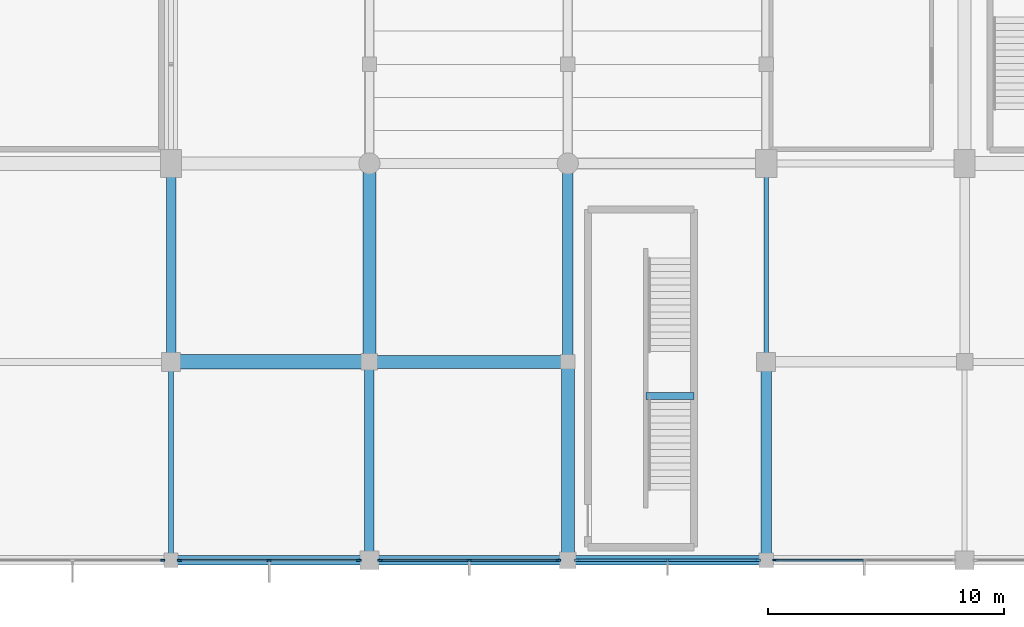
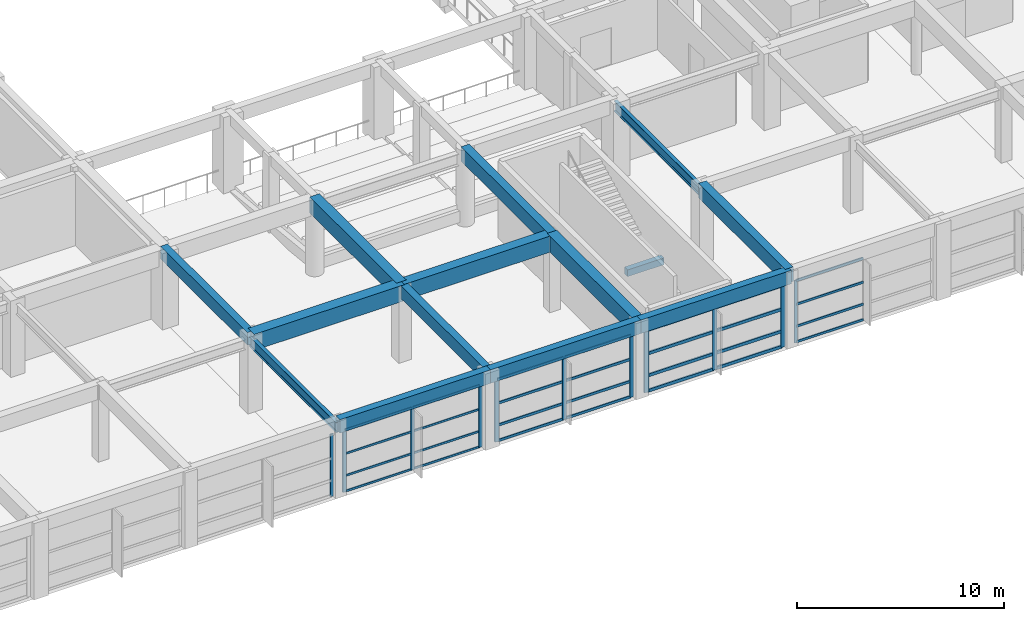
# One storey, part 20 of 62: 39 members, 14 beams, 5 elements without a shape of their own.
"""IFC4 building model written with IfcOpenShell, lengths in metres."""

from ifc_helpers import new_model, si_unit, direction, frame, origin, origin_2d, place, context, subcontext, project, spatial, rectangle, i_section, extrude, material, material_profile, profile_set, type_object, element, aggregate, save


model = new_model("IFC4")

# Units and contexts
model_context = context("Model", 3, precision=1e-05, world=origin(), true_north=direction((0.0, 1.0)))
body_context = subcontext(model_context, "Body", "Model", "MODEL_VIEW")
ifc_project = project(units=[si_unit("LENGTHUNIT", "METRE"), si_unit("AREAUNIT", "SQUARE_METRE"), si_unit("VOLUMEUNIT", "CUBIC_METRE"), si_unit("PLANEANGLEUNIT", "RADIAN"), si_unit("MASSUNIT", "GRAM", prefix="KILO")], contexts=[model_context])

# Site, building, storey
site_placement = place(None, origin())
site = spatial("IfcSite", under=ifc_project, at=site_placement, CompositionType="ELEMENT")
building_placement = place(site_placement, origin())
building = spatial("IfcBuilding", under=site, at=building_placement, Name="Xuanlan Plaza Opera House", CompositionType="ELEMENT")
storey_placement = place(building_placement, frame((0.0, 0.0, 14.39990234375)))
storey = spatial("IfcBuildingStorey", under=building, at=storey_placement, Name="L03", CompositionType="ELEMENT", Elevation=14.39990234375)

# Curtain wall, member
ifc_material_1 = material(Name="Anodised Aluminium 6063-T6 and Low-E Glass", Category="aluminium")
curtain_wall_type_1 = type_object("IfcCurtainWallType", Name="ENV-CW-CW-06", PredefinedType="USERDEFINED", material=ifc_material_1)
curtain_wall_1_placement = place(storey_placement, origin())
curtain_wall_1 = element("IfcCurtainWall", 1, at=curtain_wall_1_placement, inside=storey, type_object=curtain_wall_type_1, Name="Acoustic Glazed Wall L03-011", ObjectType="ACOUSTIC GLAZED WALL", PredefinedType="USERDEFINED")
ifc_material_2 = material(Name="Anodised Aluminium 6063-T6", Category="aluminium")
ifc_material_profile_1 = material_profile(ifc_material_2, rectangle(XDim=0.06494140625, YDim=0.159912109375, at=origin_2d()), Name="ALU-M 65x160")
ifc_profile_set_1 = profile_set([ifc_material_profile_1], Name="Anodised Aluminium 6063-T6")
member_type_1 = type_object("IfcMemberType", Name="ENV-CWM-01", PredefinedType="MULLION", material=ifc_profile_set_1)
member_1_placement = place(storey_placement, frame((92.75244140625, 16.800048828125, 0.0), z_axis=(0.0, 0.0, 1.0), x_axis=(0.0, 1.0, 0.0)))
member_1 = element("IfcMember", 2, at=member_1_placement, type_object=member_type_1, Name="CW-06 mullion 1", PredefinedType="MULLION", context=body_context, shape_type="SweptSolid", body=[
    extrude(rectangle(XDim=0.06494140625, YDim=0.159912109375, at=origin_2d()), origin(), (0.0, 0.0, 1.0), 3.68017578125),
])

curtain_wall_2_placement = place(storey_placement, origin())
curtain_wall_2 = element("IfcCurtainWall", 3, at=curtain_wall_2_placement, inside=storey, type_object=curtain_wall_type_1, Name="Acoustic Glazed Wall L03-007", ObjectType="ACOUSTIC GLAZED WALL", PredefinedType="USERDEFINED")
ifc_material_profile_2 = material_profile(ifc_material_2, rectangle(XDim=0.070068359375, YDim=0.179931640625, at=origin_2d()), Name="ALU-M 70x180")
ifc_profile_set_2 = profile_set([ifc_material_profile_2], Name="Anodised Aluminium 6063-T6")
member_type_2 = type_object("IfcMemberType", Name="ENV-CWM-02", PredefinedType="MULLION", material=ifc_profile_set_2)
member_2_placement = place(storey_placement, frame((66.844970703125, 16.800048828125, 0.0), z_axis=(0.0, 0.0, 1.0), x_axis=(0.0, 1.0, 0.0)))
member_2 = element("IfcMember", 4, at=member_2_placement, type_object=member_type_2, Name="CW-06 mullion 3", PredefinedType="MULLION", context=body_context, shape_type="SweptSolid", body=[
    extrude(rectangle(XDim=0.070068359375, YDim=0.179931640625, at=origin_2d()), origin(), (0.0, 0.0, 1.0), 3.68017578125),
])
aggregate(curtain_wall_2, [member_2])

# Curtain wall, members
curtain_wall_type_2 = type_object("IfcCurtainWallType", Name="ENV-CW-CW-05", PredefinedType="USERDEFINED", material=ifc_material_1)
curtain_wall_3_placement = place(storey_placement, origin())
curtain_wall_3 = element("IfcCurtainWall", 5, at=curtain_wall_3_placement, inside=storey, type_object=curtain_wall_type_2, Name="Acoustic Glazed Wall L03-008", ObjectType="ACOUSTIC GLAZED WALL", PredefinedType="USERDEFINED")
ifc_material_profile_3 = material_profile(ifc_material_2, rectangle(XDim=0.074951171875, YDim=0.199951171875, at=origin_2d()), Name="ALU-M 75x200")
ifc_profile_set_3 = profile_set([ifc_material_profile_3], Name="Anodised Aluminium 6063-T6")
member_type_3 = type_object("IfcMemberType", Name="ENV-CWM-03", PredefinedType="MULLION", material=ifc_profile_set_3)
member_3_placement = place(storey_placement, frame((67.5576171875, 16.800048828125, 0.0), z_axis=(0.0, 0.0, 1.0), x_axis=(0.0, 1.0, 0.0)))
member_3 = element("IfcMember", 6, at=member_3_placement, type_object=member_type_3, Name="CW-05 mullion 1", PredefinedType="MULLION", context=body_context, shape_type="SweptSolid", body=[
    extrude(rectangle(XDim=0.074951171875, YDim=0.199951171875, at=origin_2d()), origin(), (0.0, 0.0, 1.0), 3.68017578125),
])
member_4_placement = place(storey_placement, frame((71.35009765625, 16.800048828125, 0.0), z_axis=(0.0, 0.0, 1.0), x_axis=(0.0, 1.0, 0.0)))
member_4 = element("IfcMember", 7, at=member_4_placement, type_object=member_type_3, Name="CW-05 mullion 2", PredefinedType="MULLION", context=body_context, shape_type="SweptSolid", body=[
    extrude(rectangle(XDim=0.074951171875, YDim=0.199951171875, at=origin_2d()), origin(), (0.0, 0.0, 1.0), 3.68017578125),
])
member_5_placement = place(storey_placement, frame((75.142578125, 16.800048828125, 0.0), z_axis=(0.0, 0.0, 1.0), x_axis=(0.0, 1.0, 0.0)))
member_5 = element("IfcMember", 8, at=member_5_placement, type_object=member_type_3, Name="CW-05 mullion 3", PredefinedType="MULLION", context=body_context, shape_type="SweptSolid", body=[
    extrude(rectangle(XDim=0.074951171875, YDim=0.199951171875, at=origin_2d()), origin(), (0.0, 0.0, 1.0), 3.68017578125),
])

curtain_wall_4_placement = place(storey_placement, origin())
curtain_wall_4 = element("IfcCurtainWall", 9, at=curtain_wall_4_placement, inside=storey, type_object=curtain_wall_type_1, Name="Acoustic Glazed Wall L03-009", ObjectType="ACOUSTIC GLAZED WALL", PredefinedType="USERDEFINED")
ifc_material_profile_4 = material_profile(ifc_material_2, rectangle(XDim=0.080078125, YDim=0.219970703125, at=origin_2d()), Name="ALU-M 80x220")
ifc_profile_set_4 = profile_set([ifc_material_profile_4], Name="Anodised Aluminium 6063-T6")
member_type_4 = type_object("IfcMemberType", Name="ENV-CWM-04", PredefinedType="MULLION", material=ifc_profile_set_4)
member_6_placement = place(storey_placement, frame((76.06005859375, 16.800048828125, 0.0), z_axis=(0.0, 0.0, 1.0), x_axis=(0.0, 1.0, 0.0)))
member_6 = element("IfcMember", 10, at=member_6_placement, type_object=member_type_4, Name="CW-06 mullion 1", PredefinedType="MULLION", context=body_context, shape_type="SweptSolid", body=[
    extrude(rectangle(XDim=0.080078125, YDim=0.219970703125, at=origin_2d()), origin(), (0.0, 0.0, 1.0), 3.68017578125),
])
member_7_placement = place(storey_placement, frame((79.824951171875, 16.800048828125, 0.0), z_axis=(0.0, 0.0, 1.0), x_axis=(0.0, 1.0, 0.0)))
member_7 = element("IfcMember", 11, at=member_7_placement, type_object=member_type_4, Name="CW-06 mullion 2", PredefinedType="MULLION", context=body_context, shape_type="SweptSolid", body=[
    extrude(rectangle(XDim=0.080078125, YDim=0.219970703125, at=origin_2d()), origin(), (0.0, 0.0, 1.0), 3.68017578125),
])
member_8_placement = place(storey_placement, frame((83.590087890625, 16.800048828125, 0.0), z_axis=(0.0, 0.0, 1.0), x_axis=(0.0, 1.0, 0.0)))
member_8 = element("IfcMember", 12, at=member_8_placement, type_object=member_type_4, Name="CW-06 mullion 3", PredefinedType="MULLION", context=body_context, shape_type="SweptSolid", body=[
    extrude(rectangle(XDim=0.080078125, YDim=0.219970703125, at=origin_2d()), origin(), (0.0, 0.0, 1.0), 3.68017578125),
])

curtain_wall_5_placement = place(storey_placement, origin())
curtain_wall_5 = element("IfcCurtainWall", 13, at=curtain_wall_5_placement, inside=storey, type_object=curtain_wall_type_2, Name="Acoustic Glazed Wall L03-010", ObjectType="ACOUSTIC GLAZED WALL", PredefinedType="USERDEFINED")
ifc_material_profile_5 = material_profile(ifc_material_2, rectangle(XDim=0.090087890625, YDim=0.25, at=origin_2d()), Name="ALU-M 90x250")
ifc_profile_set_5 = profile_set([ifc_material_profile_5], Name="Anodised Aluminium 6063-T6")
member_type_5 = type_object("IfcMemberType", Name="ENV-CWM-05", PredefinedType="MULLION", material=ifc_profile_set_5)
member_9_placement = place(storey_placement, frame((84.4150390625, 16.800048828125, 0.0), z_axis=(0.0, 0.0, 1.0), x_axis=(0.0, 1.0, 0.0)))
member_9 = element("IfcMember", 14, at=member_9_placement, type_object=member_type_5, Name="CW-05 mullion 1", PredefinedType="MULLION", context=body_context, shape_type="SweptSolid", body=[
    extrude(rectangle(XDim=0.090087890625, YDim=0.25, at=origin_2d()), origin(), (0.0, 0.0, 1.0), 3.68017578125),
])
member_10_placement = place(storey_placement, frame((88.22509765625, 16.800048828125, 0.0), z_axis=(0.0, 0.0, 1.0), x_axis=(0.0, 1.0, 0.0)))
member_10 = element("IfcMember", 15, at=member_10_placement, type_object=member_type_5, Name="CW-05 mullion 2", PredefinedType="MULLION", context=body_context, shape_type="SweptSolid", body=[
    extrude(rectangle(XDim=0.090087890625, YDim=0.25, at=origin_2d()), origin(), (0.0, 0.0, 1.0), 3.68017578125),
])
member_11_placement = place(storey_placement, frame((92.034912109375, 16.800048828125, 0.0), z_axis=(0.0, 0.0, 1.0), x_axis=(0.0, 1.0, 0.0)))
member_11 = element("IfcMember", 16, at=member_11_placement, type_object=member_type_5, Name="CW-05 mullion 3", PredefinedType="MULLION", context=body_context, shape_type="SweptSolid", body=[
    extrude(rectangle(XDim=0.090087890625, YDim=0.25, at=origin_2d()), origin(), (0.0, 0.0, 1.0), 3.68017578125),
])

# Member
ifc_material_profile_6 = material_profile(ifc_material_2, rectangle(XDim=0.06494140625, YDim=0.1201171875, at=origin_2d()), Name="ALU-T 65x120")
ifc_profile_set_6 = profile_set([ifc_material_profile_6], Name="Anodised Aluminium 6063-T6")
member_type_6 = type_object("IfcMemberType", Name="ENV-CWT-01", PredefinedType="USERDEFINED", material=ifc_profile_set_6)
member_12_placement = place(storey_placement, frame((67.594970703125, 16.800048828125, 0.03271484375), z_axis=(1.0, 0.0, 0.0), x_axis=(0.0, 1.0, 0.0)))
member_12 = element("IfcMember", 17, at=member_12_placement, type_object=member_type_6, Name="CW-05 transom 1.1", ObjectType="TRANSOM", PredefinedType="USERDEFINED", context=body_context, shape_type="SweptSolid", body=[
    extrude(rectangle(XDim=0.06494140625, YDim=0.1201171875, at=origin_2d()), origin(), (0.0, 0.0, 1.0), 3.717529296875),
])

member_13_placement = place(storey_placement, frame((67.594970703125, 16.800048828125, 0.9501953125), z_axis=(1.0, 0.0, 0.0), x_axis=(0.0, 1.0, 0.0)))
member_13 = element("IfcMember", 18, at=member_13_placement, type_object=member_type_6, Name="CW-05 transom 1.2", ObjectType="TRANSOM", PredefinedType="USERDEFINED", context=body_context, shape_type="SweptSolid", body=[
    extrude(rectangle(XDim=0.06494140625, YDim=0.1201171875, at=origin_2d()), origin(), (0.0, 0.0, 1.0), 3.717529296875),
])

member_14_placement = place(storey_placement, frame((67.594970703125, 16.800048828125, 2.25), z_axis=(1.0, 0.0, 0.0), x_axis=(0.0, 1.0, 0.0)))
member_14 = element("IfcMember", 19, at=member_14_placement, type_object=member_type_6, Name="CW-05 transom 1.3", ObjectType="TRANSOM", PredefinedType="USERDEFINED", context=body_context, shape_type="SweptSolid", body=[
    extrude(rectangle(XDim=0.06494140625, YDim=0.1201171875, at=origin_2d()), origin(), (0.0, 0.0, 1.0), 3.717529296875),
])

member_15_placement = place(storey_placement, frame((67.594970703125, 16.800048828125, 3.647705078125), z_axis=(1.0, 0.0, 0.0), x_axis=(0.0, 1.0, 0.0)))
member_15 = element("IfcMember", 20, at=member_15_placement, type_object=member_type_6, Name="CW-05 transom 1.4", ObjectType="TRANSOM", PredefinedType="USERDEFINED", context=body_context, shape_type="SweptSolid", body=[
    extrude(rectangle(XDim=0.06494140625, YDim=0.1201171875, at=origin_2d()), origin(), (0.0, 0.0, 1.0), 3.717529296875),
])

member_16_placement = place(storey_placement, frame((71.387451171875, 16.800048828125, 0.03271484375), z_axis=(1.0, 0.0, 0.0), x_axis=(0.0, 1.0, 0.0)))
member_16 = element("IfcMember", 21, at=member_16_placement, type_object=member_type_6, Name="CW-05 transom 2.1", ObjectType="TRANSOM", PredefinedType="USERDEFINED", context=body_context, shape_type="SweptSolid", body=[
    extrude(rectangle(XDim=0.06494140625, YDim=0.1201171875, at=origin_2d()), origin(), (0.0, 0.0, 1.0), 3.717529296875),
])

member_17_placement = place(storey_placement, frame((71.387451171875, 16.800048828125, 0.9501953125), z_axis=(1.0, 0.0, 0.0), x_axis=(0.0, 1.0, 0.0)))
member_17 = element("IfcMember", 22, at=member_17_placement, type_object=member_type_6, Name="CW-05 transom 2.2", ObjectType="TRANSOM", PredefinedType="USERDEFINED", context=body_context, shape_type="SweptSolid", body=[
    extrude(rectangle(XDim=0.06494140625, YDim=0.1201171875, at=origin_2d()), origin(), (0.0, 0.0, 1.0), 3.717529296875),
])

member_18_placement = place(storey_placement, frame((71.387451171875, 16.800048828125, 2.25), z_axis=(1.0, 0.0, 0.0), x_axis=(0.0, 1.0, 0.0)))
member_18 = element("IfcMember", 23, at=member_18_placement, type_object=member_type_6, Name="CW-05 transom 2.3", ObjectType="TRANSOM", PredefinedType="USERDEFINED", context=body_context, shape_type="SweptSolid", body=[
    extrude(rectangle(XDim=0.06494140625, YDim=0.1201171875, at=origin_2d()), origin(), (0.0, 0.0, 1.0), 3.717529296875),
])

member_19_placement = place(storey_placement, frame((71.387451171875, 16.800048828125, 3.647705078125), z_axis=(1.0, 0.0, 0.0), x_axis=(0.0, 1.0, 0.0)))
member_19 = element("IfcMember", 24, at=member_19_placement, type_object=member_type_6, Name="CW-05 transom 2.4", ObjectType="TRANSOM", PredefinedType="USERDEFINED", context=body_context, shape_type="SweptSolid", body=[
    extrude(rectangle(XDim=0.06494140625, YDim=0.1201171875, at=origin_2d()), origin(), (0.0, 0.0, 1.0), 3.717529296875),
])

aggregate(curtain_wall_3, [member_3, member_4, member_5, member_12, member_13, member_14, member_15, member_16, member_17, member_18, member_19])

ifc_material_profile_7 = material_profile(ifc_material_2, rectangle(XDim=0.070068359375, YDim=0.135009765625, at=origin_2d()), Name="ALU-T 70x135")
ifc_profile_set_7 = profile_set([ifc_material_profile_7], Name="Anodised Aluminium 6063-T6")
member_type_7 = type_object("IfcMemberType", Name="ENV-CWT-02", PredefinedType="USERDEFINED", material=ifc_profile_set_7)
member_20_placement = place(storey_placement, frame((92.784912109375, 16.800048828125, 0.03515625), z_axis=(1.0, 0.0, 0.0), x_axis=(0.0, 1.0, 0.0)))
member_20 = element("IfcMember", 25, at=member_20_placement, type_object=member_type_7, Name="CW-06 transom 1.1", ObjectType="TRANSOM", PredefinedType="USERDEFINED", context=body_context, shape_type="SweptSolid", body=[
    extrude(rectangle(XDim=0.070068359375, YDim=0.135009765625, at=origin_2d()), origin(), (0.0, 0.0, 1.0), 3.732666015625),
])

member_21_placement = place(storey_placement, frame((92.784912109375, 16.800048828125, 0.9501953125), z_axis=(1.0, 0.0, 0.0), x_axis=(0.0, 1.0, 0.0)))
member_21 = element("IfcMember", 26, at=member_21_placement, type_object=member_type_7, Name="CW-06 transom 1.2", ObjectType="TRANSOM", PredefinedType="USERDEFINED", context=body_context, shape_type="SweptSolid", body=[
    extrude(rectangle(XDim=0.070068359375, YDim=0.135009765625, at=origin_2d()), origin(), (0.0, 0.0, 1.0), 3.732666015625),
])

member_22_placement = place(storey_placement, frame((92.784912109375, 16.800048828125, 2.25), z_axis=(1.0, 0.0, 0.0), x_axis=(0.0, 1.0, 0.0)))
member_22 = element("IfcMember", 27, at=member_22_placement, type_object=member_type_7, Name="CW-06 transom 1.3", ObjectType="TRANSOM", PredefinedType="USERDEFINED", context=body_context, shape_type="SweptSolid", body=[
    extrude(rectangle(XDim=0.070068359375, YDim=0.135009765625, at=origin_2d()), origin(), (0.0, 0.0, 1.0), 3.732666015625),
])

member_23_placement = place(storey_placement, frame((92.784912109375, 16.800048828125, 3.64501953125), z_axis=(1.0, 0.0, 0.0), x_axis=(0.0, 1.0, 0.0)))
member_23 = element("IfcMember", 28, at=member_23_placement, type_object=member_type_7, Name="CW-06 transom 1.4", ObjectType="TRANSOM", PredefinedType="USERDEFINED", context=body_context, shape_type="SweptSolid", body=[
    extrude(rectangle(XDim=0.070068359375, YDim=0.135009765625, at=origin_2d()), origin(), (0.0, 0.0, 1.0), 3.732666015625),
])

aggregate(curtain_wall_1, [member_1, member_20, member_21, member_22, member_23])

ifc_material_profile_8 = material_profile(ifc_material_2, rectangle(XDim=0.074951171875, YDim=0.14990234375, at=origin_2d()), Name="ALU-T 75x150")
ifc_profile_set_8 = profile_set([ifc_material_profile_8], Name="Anodised Aluminium 6063-T6")
member_type_8 = type_object("IfcMemberType", Name="ENV-CWT-03", PredefinedType="USERDEFINED", material=ifc_profile_set_8)
member_24_placement = place(storey_placement, frame((76.10009765625, 16.800048828125, 0.03759765625), z_axis=(1.0, 0.0, 0.0), x_axis=(0.0, 1.0, 0.0)))
member_24 = element("IfcMember", 29, at=member_24_placement, type_object=member_type_8, Name="CW-06 transom 1.1", ObjectType="TRANSOM", PredefinedType="USERDEFINED", context=body_context, shape_type="SweptSolid", body=[
    extrude(rectangle(XDim=0.074951171875, YDim=0.14990234375, at=origin_2d()), origin(), (0.0, 0.0, 1.0), 3.684814453125),
])

member_25_placement = place(storey_placement, frame((76.10009765625, 16.800048828125, 0.9501953125), z_axis=(1.0, 0.0, 0.0), x_axis=(0.0, 1.0, 0.0)))
member_25 = element("IfcMember", 30, at=member_25_placement, type_object=member_type_8, Name="CW-06 transom 1.2", ObjectType="TRANSOM", PredefinedType="USERDEFINED", context=body_context, shape_type="SweptSolid", body=[
    extrude(rectangle(XDim=0.074951171875, YDim=0.14990234375, at=origin_2d()), origin(), (0.0, 0.0, 1.0), 3.684814453125),
])

member_26_placement = place(storey_placement, frame((76.10009765625, 16.800048828125, 2.25), z_axis=(1.0, 0.0, 0.0), x_axis=(0.0, 1.0, 0.0)))
member_26 = element("IfcMember", 31, at=member_26_placement, type_object=member_type_8, Name="CW-06 transom 1.3", ObjectType="TRANSOM", PredefinedType="USERDEFINED", context=body_context, shape_type="SweptSolid", body=[
    extrude(rectangle(XDim=0.074951171875, YDim=0.14990234375, at=origin_2d()), origin(), (0.0, 0.0, 1.0), 3.684814453125),
])

member_27_placement = place(storey_placement, frame((76.10009765625, 16.800048828125, 3.642578125), z_axis=(1.0, 0.0, 0.0), x_axis=(0.0, 1.0, 0.0)))
member_27 = element("IfcMember", 32, at=member_27_placement, type_object=member_type_8, Name="CW-06 transom 1.4", ObjectType="TRANSOM", PredefinedType="USERDEFINED", context=body_context, shape_type="SweptSolid", body=[
    extrude(rectangle(XDim=0.074951171875, YDim=0.14990234375, at=origin_2d()), origin(), (0.0, 0.0, 1.0), 3.684814453125),
])

member_28_placement = place(storey_placement, frame((79.864990234375, 16.800048828125, 0.03759765625), z_axis=(1.0, 0.0, 0.0), x_axis=(0.0, 1.0, 0.0)))
member_28 = element("IfcMember", 33, at=member_28_placement, type_object=member_type_8, Name="CW-06 transom 2.1", ObjectType="TRANSOM", PredefinedType="USERDEFINED", context=body_context, shape_type="SweptSolid", body=[
    extrude(rectangle(XDim=0.074951171875, YDim=0.14990234375, at=origin_2d()), origin(), (0.0, 0.0, 1.0), 3.68505859375),
])

member_29_placement = place(storey_placement, frame((79.864990234375, 16.800048828125, 0.9501953125), z_axis=(1.0, 0.0, 0.0), x_axis=(0.0, 1.0, 0.0)))
member_29 = element("IfcMember", 34, at=member_29_placement, type_object=member_type_8, Name="CW-06 transom 2.2", ObjectType="TRANSOM", PredefinedType="USERDEFINED", context=body_context, shape_type="SweptSolid", body=[
    extrude(rectangle(XDim=0.074951171875, YDim=0.14990234375, at=origin_2d()), origin(), (0.0, 0.0, 1.0), 3.68505859375),
])

member_30_placement = place(storey_placement, frame((79.864990234375, 16.800048828125, 2.25), z_axis=(1.0, 0.0, 0.0), x_axis=(0.0, 1.0, 0.0)))
member_30 = element("IfcMember", 35, at=member_30_placement, type_object=member_type_8, Name="CW-06 transom 2.3", ObjectType="TRANSOM", PredefinedType="USERDEFINED", context=body_context, shape_type="SweptSolid", body=[
    extrude(rectangle(XDim=0.074951171875, YDim=0.14990234375, at=origin_2d()), origin(), (0.0, 0.0, 1.0), 3.68505859375),
])

member_31_placement = place(storey_placement, frame((79.864990234375, 16.800048828125, 3.642578125), z_axis=(1.0, 0.0, 0.0), x_axis=(0.0, 1.0, 0.0)))
member_31 = element("IfcMember", 36, at=member_31_placement, type_object=member_type_8, Name="CW-06 transom 2.4", ObjectType="TRANSOM", PredefinedType="USERDEFINED", context=body_context, shape_type="SweptSolid", body=[
    extrude(rectangle(XDim=0.074951171875, YDim=0.14990234375, at=origin_2d()), origin(), (0.0, 0.0, 1.0), 3.68505859375),
])

aggregate(curtain_wall_4, [member_6, member_7, member_8, member_24, member_25, member_26, member_27, member_28, member_29, member_30, member_31])

ifc_material_profile_9 = material_profile(ifc_material_2, rectangle(XDim=0.090087890625, YDim=0.179931640625, at=origin_2d()), Name="ALU-T 90x180")
ifc_profile_set_9 = profile_set([ifc_material_profile_9], Name="Anodised Aluminium 6063-T6")
member_type_9 = type_object("IfcMemberType", Name="ENV-CWT-05", PredefinedType="USERDEFINED", material=ifc_profile_set_9)
member_32_placement = place(storey_placement, frame((84.4599609375, 16.800048828125, 0.045166015625), z_axis=(1.0, 0.0, 0.0), x_axis=(0.0, 1.0, 0.0)))
member_32 = element("IfcMember", 37, at=member_32_placement, type_object=member_type_9, Name="CW-05 transom 1.1", ObjectType="TRANSOM", PredefinedType="USERDEFINED", context=body_context, shape_type="SweptSolid", body=[
    extrude(rectangle(XDim=0.090087890625, YDim=0.179931640625, at=origin_2d()), origin(), (0.0, 0.0, 1.0), 3.719970703125),
])

member_33_placement = place(storey_placement, frame((84.4599609375, 16.800048828125, 0.9501953125), z_axis=(1.0, 0.0, 0.0), x_axis=(0.0, 1.0, 0.0)))
member_33 = element("IfcMember", 38, at=member_33_placement, type_object=member_type_9, Name="CW-05 transom 1.2", ObjectType="TRANSOM", PredefinedType="USERDEFINED", context=body_context, shape_type="SweptSolid", body=[
    extrude(rectangle(XDim=0.090087890625, YDim=0.179931640625, at=origin_2d()), origin(), (0.0, 0.0, 1.0), 3.719970703125),
])

member_34_placement = place(storey_placement, frame((84.4599609375, 16.800048828125, 2.25), z_axis=(1.0, 0.0, 0.0), x_axis=(0.0, 1.0, 0.0)))
member_34 = element("IfcMember", 39, at=member_34_placement, type_object=member_type_9, Name="CW-05 transom 1.3", ObjectType="TRANSOM", PredefinedType="USERDEFINED", context=body_context, shape_type="SweptSolid", body=[
    extrude(rectangle(XDim=0.090087890625, YDim=0.179931640625, at=origin_2d()), origin(), (0.0, 0.0, 1.0), 3.719970703125),
])

member_35_placement = place(storey_placement, frame((84.4599609375, 16.800048828125, 3.635009765625), z_axis=(1.0, 0.0, 0.0), x_axis=(0.0, 1.0, 0.0)))
member_35 = element("IfcMember", 40, at=member_35_placement, type_object=member_type_9, Name="CW-05 transom 1.4", ObjectType="TRANSOM", PredefinedType="USERDEFINED", context=body_context, shape_type="SweptSolid", body=[
    extrude(rectangle(XDim=0.090087890625, YDim=0.179931640625, at=origin_2d()), origin(), (0.0, 0.0, 1.0), 3.719970703125),
])

member_36_placement = place(storey_placement, frame((88.27001953125, 16.800048828125, 0.045166015625), z_axis=(1.0, 0.0, 0.0), x_axis=(0.0, 1.0, 0.0)))
member_36 = element("IfcMember", 41, at=member_36_placement, type_object=member_type_9, Name="CW-05 transom 2.1", ObjectType="TRANSOM", PredefinedType="USERDEFINED", context=body_context, shape_type="SweptSolid", body=[
    extrude(rectangle(XDim=0.090087890625, YDim=0.179931640625, at=origin_2d()), origin(), (0.0, 0.0, 1.0), 3.719970703125),
])

member_37_placement = place(storey_placement, frame((88.27001953125, 16.800048828125, 0.9501953125), z_axis=(1.0, 0.0, 0.0), x_axis=(0.0, 1.0, 0.0)))
member_37 = element("IfcMember", 42, at=member_37_placement, type_object=member_type_9, Name="CW-05 transom 2.2", ObjectType="TRANSOM", PredefinedType="USERDEFINED", context=body_context, shape_type="SweptSolid", body=[
    extrude(rectangle(XDim=0.090087890625, YDim=0.179931640625, at=origin_2d()), origin(), (0.0, 0.0, 1.0), 3.719970703125),
])

member_38_placement = place(storey_placement, frame((88.27001953125, 16.800048828125, 2.25), z_axis=(1.0, 0.0, 0.0), x_axis=(0.0, 1.0, 0.0)))
member_38 = element("IfcMember", 43, at=member_38_placement, type_object=member_type_9, Name="CW-05 transom 2.3", ObjectType="TRANSOM", PredefinedType="USERDEFINED", context=body_context, shape_type="SweptSolid", body=[
    extrude(rectangle(XDim=0.090087890625, YDim=0.179931640625, at=origin_2d()), origin(), (0.0, 0.0, 1.0), 3.719970703125),
])

member_39_placement = place(storey_placement, frame((88.27001953125, 16.800048828125, 3.635009765625), z_axis=(1.0, 0.0, 0.0), x_axis=(0.0, 1.0, 0.0)))
member_39 = element("IfcMember", 44, at=member_39_placement, type_object=member_type_9, Name="CW-05 transom 2.4", ObjectType="TRANSOM", PredefinedType="USERDEFINED", context=body_context, shape_type="SweptSolid", body=[
    extrude(rectangle(XDim=0.090087890625, YDim=0.179931640625, at=origin_2d()), origin(), (0.0, 0.0, 1.0), 3.719970703125),
])

aggregate(curtain_wall_5, [member_9, member_10, member_11, member_32, member_33, member_34, member_35, member_36, member_37, member_38, member_39])

# Beams
ifc_material_3 = material(Name="Concrete C50", Category="concrete")
ifc_material_profile_10 = material_profile(ifc_material_3, rectangle(XDim=0.60009765625, YDim=0.949951171875, at=origin_2d()), Name="RC-BM 600x950")
ifc_profile_set_10 = profile_set([ifc_material_profile_10], Name="Concrete C50")
beam_type_1 = type_object("IfcBeamType", Name="STR-BM-B-01", PredefinedType="BEAM", material=ifc_profile_set_10)
beam_1_placement = place(storey_placement, frame((67.199951171875, 25.199951171875, 4.025146484375), z_axis=(1.0, 0.0, 0.0), x_axis=(0.0, 1.0, 0.0)))
element("IfcBeam", 45, at=beam_1_placement, inside=storey, type_object=beam_type_1, Name="Grid Beam X L03 9-10/D", PredefinedType="BEAM", context=body_context, shape_type="SweptSolid", body=[
    extrude(rectangle(XDim=0.60009765625, YDim=0.949951171875, at=origin_2d()), origin(), (0.0, 0.0, 1.0), 8.400146484375),
])
ifc_material_profile_11 = material_profile(ifc_material_3, rectangle(XDim=0.550048828125, YDim=0.949951171875, at=origin_2d()), Name="RC-BM 550x950")
ifc_profile_set_11 = profile_set([ifc_material_profile_11], Name="Concrete C50")
beam_type_2 = type_object("IfcBeamType", Name="STR-BM-B-02", PredefinedType="BEAM", material=ifc_profile_set_11)
beam_2_placement = place(storey_placement, frame((75.60009765625, 25.199951171875, 4.025146484375), z_axis=(1.0, 0.0, 0.0), x_axis=(0.0, 1.0, 0.0)))
element("IfcBeam", 46, at=beam_2_placement, inside=storey, type_object=beam_type_2, Name="Grid Beam X L03 10-11/D", PredefinedType="BEAM", context=body_context, shape_type="SweptSolid", body=[
    extrude(rectangle(XDim=0.550048828125, YDim=0.949951171875, at=origin_2d()), origin(), (0.0, 0.0, 1.0), 8.39990234375),
])
beam_3_placement = place(storey_placement, frame((75.60009765625, 25.199951171875, 4.025146484375), z_axis=(0.0, 1.0, 0.0), x_axis=(-1.0, 0.0, 0.0)))
element("IfcBeam", 47, at=beam_3_placement, inside=storey, type_object=beam_type_2, Name="Grid Beam Y L03 10/D-E", PredefinedType="BEAM", context=body_context, shape_type="SweptSolid", body=[
    extrude(rectangle(XDim=0.550048828125, YDim=0.949951171875, at=origin_2d()), origin(), (0.0, 0.0, 1.0), 8.400146484375),
])
beam_4_placement = place(storey_placement, frame((84.0, 16.800048828125, 4.025146484375), z_axis=(0.0, 1.0, 0.0), x_axis=(-1.0, 0.0, 0.0)))
element("IfcBeam", 48, at=beam_4_placement, inside=storey, type_object=beam_type_2, Name="Grid Beam Y L03 11/C-D", PredefinedType="BEAM", context=body_context, shape_type="SweptSolid", body=[
    extrude(rectangle(XDim=0.550048828125, YDim=0.949951171875, at=origin_2d()), origin(), (0.0, 0.0, 1.0), 8.39990234375),
])
ifc_material_4 = material(Name="Concrete C40", Category="concrete")
ifc_material_profile_12 = material_profile(ifc_material_4, rectangle(XDim=0.449951171875, YDim=0.85009765625, at=origin_2d()), Name="RC-BM 450x850")
ifc_profile_set_12 = profile_set([ifc_material_profile_12], Name="Concrete C40")
beam_type_3 = type_object("IfcBeamType", Name="STR-BM-B-04", PredefinedType="BEAM", material=ifc_profile_set_12)
beam_5_placement = place(storey_placement, frame((84.0, 25.199951171875, 4.0751953125), z_axis=(0.0, 1.0, 0.0), x_axis=(-1.0, 0.0, 0.0)))
element("IfcBeam", 49, at=beam_5_placement, inside=storey, type_object=beam_type_3, Name="Grid Beam Y L03 11/D-E", PredefinedType="BEAM", context=body_context, shape_type="SweptSolid", body=[
    extrude(rectangle(XDim=0.449951171875, YDim=0.85009765625, at=origin_2d()), origin(), (0.0, 0.0, 1.0), 8.400146484375),
])
beam_6_placement = place(storey_placement, frame((92.39990234375, 16.800048828125, 4.0751953125), z_axis=(0.0, 1.0, 0.0), x_axis=(-1.0, 0.0, 0.0)))
element("IfcBeam", 50, at=beam_6_placement, inside=storey, type_object=beam_type_3, Name="Grid Beam Y L03 12/C-D", PredefinedType="BEAM", context=body_context, shape_type="SweptSolid", body=[
    extrude(rectangle(XDim=0.449951171875, YDim=0.85009765625, at=origin_2d()), origin(), (0.0, 0.0, 1.0), 8.39990234375),
])
ifc_material_profile_13 = material_profile(ifc_material_4, rectangle(XDim=0.39990234375, YDim=0.75, at=origin_2d()), Name="RC-BM 400x750")
ifc_profile_set_13 = profile_set([ifc_material_profile_13], Name="Concrete C40")
beam_type_4 = type_object("IfcBeamType", Name="STR-BM-B-06", PredefinedType="BEAM", material=ifc_profile_set_13)
beam_7_placement = place(storey_placement, frame((67.199951171875, 25.199951171875, 4.125), z_axis=(0.0, 1.0, 0.0), x_axis=(-1.0, 0.0, 0.0)))
element("IfcBeam", 51, at=beam_7_placement, inside=storey, type_object=beam_type_4, Name="Grid Beam Y L03 9/D-E", PredefinedType="BEAM", context=body_context, shape_type="SweptSolid", body=[
    extrude(rectangle(XDim=0.39990234375, YDim=0.75, at=origin_2d()), origin(), (0.0, 0.0, 1.0), 8.400146484375),
])
beam_8_placement = place(storey_placement, frame((75.60009765625, 16.800048828125, 4.125), z_axis=(0.0, 1.0, 0.0), x_axis=(-1.0, 0.0, 0.0)))
element("IfcBeam", 52, at=beam_8_placement, inside=storey, type_object=beam_type_4, Name="Grid Beam Y L03 10/C-D", PredefinedType="BEAM", context=body_context, shape_type="SweptSolid", body=[
    extrude(rectangle(XDim=0.39990234375, YDim=0.75, at=origin_2d()), origin(), (0.0, 0.0, 1.0), 8.39990234375),
])
ifc_material_profile_14 = material_profile(ifc_material_4, rectangle(XDim=0.300048828125, YDim=0.39990234375, at=origin_2d()), Name="RC-LNT 300x400")
ifc_profile_set_14 = profile_set([ifc_material_profile_14], Name="Concrete C40")
beam_type_5 = type_object("IfcBeamType", Name="STR-BM-LN-01", PredefinedType="LINTEL", material=ifc_profile_set_14)
beam_9_placement = place(storey_placement, frame((87.300048828125, 23.760009765625, 1.85009765625), z_axis=(1.0, 0.0, 0.0), x_axis=(0.0, 1.0, 0.0)))
element("IfcBeam", 53, at=beam_9_placement, inside=storey, type_object=beam_type_5, Name="Stair Mid-Landing Trimmer Beam ST-P3 L03", PredefinedType="LINTEL", context=body_context, shape_type="SweptSolid", body=[
    extrude(rectangle(XDim=0.300048828125, YDim=0.39990234375, at=origin_2d()), origin(), (0.0, 0.0, 1.0), 2.050048828125),
])
ifc_material_5 = material(Name="Steel Q355B", Category="steel")
ifc_material_profile_15 = material_profile(ifc_material_5, i_section(OverallWidth=0.199951171875, OverallDepth=0.60009765625, WebThickness=0.010986328125, FlangeThickness=0.01708984375, FilletRadius=0.02197265625, at=origin_2d()), Name="HN 600x200x11x17")
ifc_profile_set_15 = profile_set([ifc_material_profile_15], Name="Steel Q355B")
beam_type_6 = type_object("IfcBeamType", Name="STR-BM-SB-04", PredefinedType="BEAM", material=ifc_profile_set_15)
beam_10_placement = place(storey_placement, frame((67.199951171875, 16.800048828125, 3.93505859375), z_axis=(0.0, 1.0, 0.0), x_axis=(-1.0, 0.0, 0.0)))
element("IfcBeam", 54, at=beam_10_placement, inside=storey, type_object=beam_type_6, Name="Grid Beam Y L03 9/C-D", PredefinedType="BEAM", context=body_context, shape_type="SweptSolid", body=[
    extrude(i_section(OverallWidth=0.199951171875, OverallDepth=0.60009765625, WebThickness=0.010986328125, FlangeThickness=0.01708984375, FilletRadius=0.02197265625, at=origin_2d()), origin(), (0.0, 0.0, 1.0), 8.39990234375),
])
beam_11_placement = place(storey_placement, frame((92.39990234375, 25.199951171875, 3.93505859375), z_axis=(0.0, 1.0, 0.0), x_axis=(-1.0, 0.0, 0.0)))
element("IfcBeam", 55, at=beam_11_placement, inside=storey, type_object=beam_type_6, Name="Grid Beam Y L03 12/D-E", PredefinedType="BEAM", context=body_context, shape_type="SweptSolid", body=[
    extrude(i_section(OverallWidth=0.199951171875, OverallDepth=0.60009765625, WebThickness=0.010986328125, FlangeThickness=0.01708984375, FilletRadius=0.02197265625, at=origin_2d()), origin(), (0.0, 0.0, 1.0), 8.400146484375),
])
ifc_material_profile_16 = material_profile(ifc_material_4, rectangle(XDim=0.39990234375, YDim=0.800048828125, at=origin_2d()), Name="RC-SPD 400x800")
ifc_profile_set_16 = profile_set([ifc_material_profile_16], Name="Concrete C40")
beam_type_7 = type_object("IfcBeamType", Name="STR-BM-SP-01", PredefinedType="SPANDREL", material=ifc_profile_set_16)
beam_12_placement = place(storey_placement, frame((67.199951171875, 16.800048828125, 4.10009765625), z_axis=(1.0, 0.0, 0.0), x_axis=(0.0, 1.0, 0.0)))
element("IfcBeam", 56, at=beam_12_placement, inside=storey, type_object=beam_type_7, Name="Grid Beam X L03 9-10/C", PredefinedType="SPANDREL", context=body_context, shape_type="SweptSolid", body=[
    extrude(rectangle(XDim=0.39990234375, YDim=0.800048828125, at=origin_2d()), origin(), (0.0, 0.0, 1.0), 8.400146484375),
])
for number, where, z_axis, x_axis, name in (
    (57, (75.60009765625, 16.800048828125, 4.10009765625), (1.0, 0.0, 0.0), (0.0, 1.0, 0.0), "Grid Beam X L03 10-11/C"),
    (58, (84.0, 16.800048828125, 4.10009765625), (1.0, 0.0, 0.0), (0.0, 1.0, 0.0), "Grid Beam X L03 11-12/C"),
):
    element("IfcBeam", number, at=place(storey_placement, frame(where, z_axis=z_axis, x_axis=x_axis)), inside=storey, type_object=beam_type_7, Name=name, PredefinedType="SPANDREL", context=body_context, shape_type="SweptSolid", body=[
        extrude(rectangle(XDim=0.39990234375, YDim=0.800048828125, at=origin_2d()), origin(), (0.0, 0.0, 1.0), 8.39990234375),
    ])

save(model, "model.ifc")
